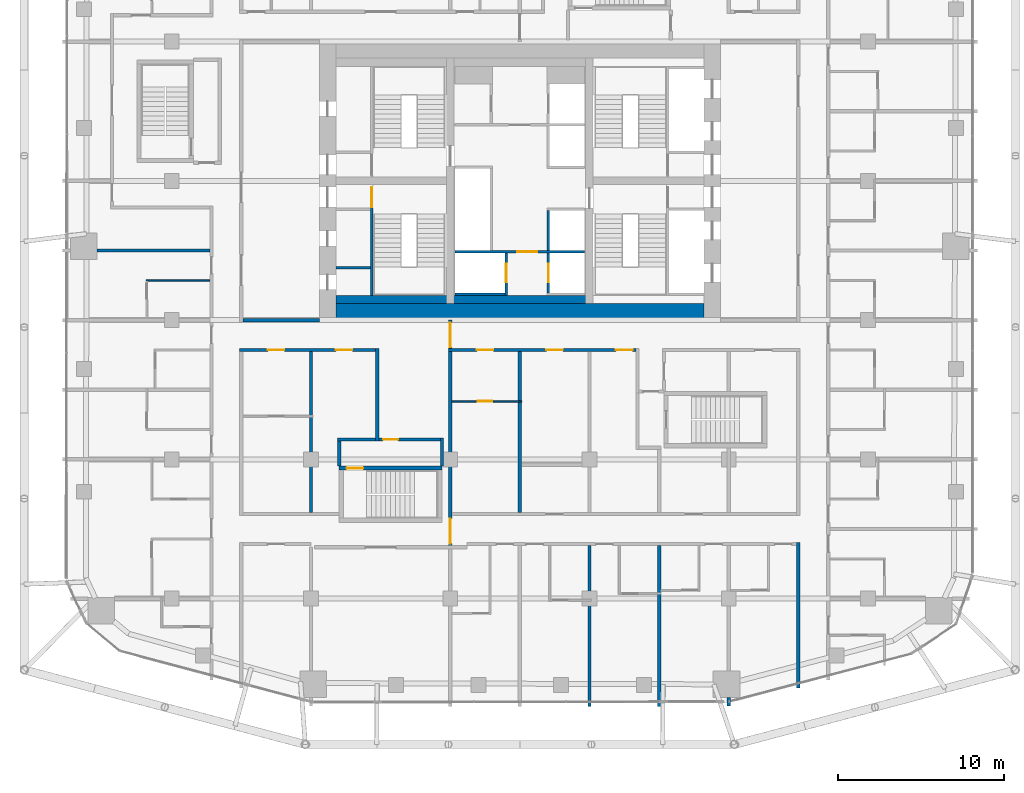
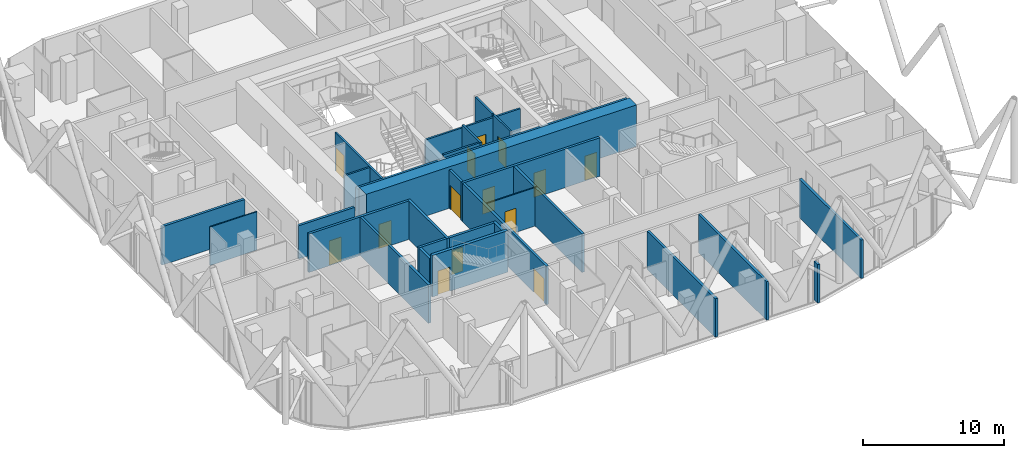
# One storey, part 28 of 36: 28 walls, 14 doors, 14 openings.
"""IFC4 building model written with IfcOpenShell, lengths in metres."""

from ifc_helpers import new_model, si_unit, direction, frame, frame_2d, origin, place, context, subcontext, project, spatial, rectangle, extrude, material, layer, layer_set, type_object, element, fill, save


model = new_model("IFC4")

# Units and contexts
model_context = context("Model", 3, precision=1e-05, world=origin(), true_north=direction((0.0, 1.0)))
body_context = subcontext(model_context, "Body", "Model", "MODEL_VIEW")
ifc_project = project(units=[si_unit("LENGTHUNIT", "METRE"), si_unit("AREAUNIT", "SQUARE_METRE"), si_unit("VOLUMEUNIT", "CUBIC_METRE"), si_unit("PLANEANGLEUNIT", "RADIAN"), si_unit("MASSUNIT", "GRAM", prefix="KILO")], contexts=[model_context])

# Site, building, storey
site_placement = place(None, origin())
site = spatial("IfcSite", under=ifc_project, at=site_placement, CompositionType="ELEMENT")
building_placement = place(site_placement, origin())
building = spatial("IfcBuilding", under=site, at=building_placement, Name="Marenta Gate Hotel Tower", CompositionType="ELEMENT")
storey_placement = place(building_placement, frame((0.0, 0.0, 144.5)))
storey = spatial("IfcBuildingStorey", under=building, at=storey_placement, Name="L33", CompositionType="ELEMENT", Elevation=144.5)

# Wall, openings, doors
ifc_material_1 = material(Name="Concrete blockwork", Category="masonry")
ifc_layer_1 = layer(ifc_material_1, 0.199951171875)
ifc_layer_set_1 = layer_set([ifc_layer_1], Name="Concrete blockwork")
wall_type_1 = type_object("IfcWallType", Name="Compartment wall 200 REI 180", PredefinedType="PARTITIONING", material=ifc_layer_set_1)
wall_1_placement = place(storey_placement, frame((-4.199951171875, -13.800048828125, 0.0), z_axis=(0.0, 0.0, 1.0), x_axis=(0.0, 1.0, 0.0)))
wall_1 = element("IfcWall", 1, at=wall_1_placement, inside=storey, type_object=wall_type_1, Name="L33-PTN-W084", PredefinedType="PARTITIONING", context=body_context, shape_type="SweptSolid", body=[
    extrude(rectangle(XDim=13.800048828125, YDim=0.199951171875, at=frame_2d((6.89990234375, 0.0))), origin(), (0.0, 0.0, 1.0), 3.340087890625),
])
opening_1_placement = place(wall_1_placement, frame((12.14990234375, 0.0, 0.0)))
opening_1 = element("IfcOpeningElement", 2, at=opening_1_placement, cuts=wall_1, Name="Opening G12-FD2", PredefinedType="OPENING", context=body_context, shape_type="SweptSolid", body=[
    extrude(rectangle(XDim=1.5, YDim=2.10009765625, at=frame_2d((0.75, 1.050048828125))), frame((0.0, 0.10009765625, 0.0), z_axis=(0.0, -1.0, 0.0), x_axis=(1.0, 0.0, 0.0)), (0.0, 0.0, 1.0), 0.199951171875),
])
opening_2_placement = place(wall_1_placement, frame((0.324951171875, 0.0, 0.0)))
opening_2 = element("IfcOpeningElement", 3, at=opening_2_placement, cuts=wall_1, Name="Opening G12-FD3", PredefinedType="OPENING", context=body_context, shape_type="SweptSolid", body=[
    extrude(rectangle(XDim=1.5, YDim=2.10009765625, at=frame_2d((0.75, 1.050048828125))), frame((0.0, 0.10009765625, 0.0), z_axis=(0.0, -1.0, 0.0), x_axis=(1.0, 0.0, 0.0)), (0.0, 0.0, 1.0), 0.199951171875),
])
ifc_material_2 = material(Name="Hollow steel door set", Category="steel")
door_type_1 = type_object("IfcDoorType", Name="Compartment fire door 1500x2100 EI 60", OperationType="DOUBLE_DOOR_DOUBLE_SWING", PredefinedType="DOOR", material=ifc_material_2)
door_1_placement = place(opening_1_placement, origin())
door_1 = element("IfcDoor", 4, at=door_1_placement, inside=storey, type_object=door_type_1, Name="L33-PD-FD02", OperationType="DOUBLE_DOOR_DOUBLE_SWING", OverallHeight=2.10009765625, OverallWidth=1.5, PredefinedType="DOOR", context=body_context, shape_type="SweptSolid", body=[
    extrude(rectangle(XDim=1.5, YDim=2.10009765625, at=frame_2d((0.75, 1.050048828125))), frame((0.0, 0.02490234375, 0.0), z_axis=(0.0, -1.0, 0.0), x_axis=(1.0, 0.0, 0.0)), (0.0, 0.0, 1.0), 0.050048828125),
])
fill(opening_1, door_1)
door_2_placement = place(opening_2_placement, origin())
door_2 = element("IfcDoor", 5, at=door_2_placement, inside=storey, type_object=door_type_1, Name="L33-PD-FD03", OperationType="DOUBLE_DOOR_DOUBLE_SWING", OverallHeight=2.10009765625, OverallWidth=1.5, PredefinedType="DOOR", context=body_context, shape_type="SweptSolid", body=[
    extrude(rectangle(XDim=1.5, YDim=2.10009765625, at=frame_2d((0.75, 1.050048828125))), frame((0.0, 0.02490234375, 0.0), z_axis=(0.0, -1.0, 0.0), x_axis=(1.0, 0.0, 0.0)), (0.0, 0.0, 1.0), 0.050048828125),
])
fill(opening_2, door_2)

# Walls
ifc_material_3 = material(Name="Concrete blockwork", Category="masonry")
ifc_layer_2 = layer(ifc_material_3, 0.199951171875)
ifc_layer_set_2 = layer_set([ifc_layer_2], Name="Concrete blockwork")
wall_type_2 = type_object("IfcWallType", Name="Core boundary wall 200 REI 180", PredefinedType="PARTITIONING", material=ifc_layer_set_2)
wall_2_placement = place(storey_placement, frame((-16.699951171875, 0.0, 0.0), z_axis=(0.0, 0.0, 1.0), x_axis=(1.0, 0.0, 0.0)))
element("IfcWall", 6, at=wall_2_placement, inside=storey, type_object=wall_type_2, Name="L33-CP-EW-WS", PredefinedType="PARTITIONING", context=body_context, shape_type="SweptSolid", body=[
    extrude(rectangle(XDim=4.599853515625, YDim=0.199951171875, at=frame_2d((2.2998046875, 0.0))), origin(), (0.0, 0.0, 1.0), 2.889892578125),
])
ifc_material_4 = material(Name="Concrete C40", Category="concrete")
ifc_layer_3 = layer(ifc_material_4, 0.5)
ifc_layer_set_3 = layer_set([ifc_layer_3], Name="Concrete C40")
wall_type_3 = type_object("IfcWallType", Name="Core lining wall 500 REI 180", PredefinedType="PARTITIONING", material=ifc_layer_set_3)
wall_3_placement = place(storey_placement, frame((-11.10009765625, 1.25, 0.0), z_axis=(0.0, 0.0, 1.0), x_axis=(1.0, 0.0, 0.0)))
element("IfcWall", 7, at=wall_3_placement, inside=storey, type_object=wall_type_3, Name="L33-CP-LN-S", PredefinedType="PARTITIONING", context=body_context, shape_type="SweptSolid", body=[
    extrude(rectangle(XDim=22.2001953125, YDim=0.5, at=frame_2d((11.10009765625, 0.0))), origin(), (0.0, 0.0, 1.0), 3.340087890625),
])

# Wall, opening, door
ifc_material_5 = material(Name="Concrete blockwork", Category="masonry")
ifc_layer_4 = layer(ifc_material_5, 0.14990234375)
ifc_layer_set_4 = layer_set([ifc_layer_4], Name="Concrete blockwork")
wall_type_4 = type_object("IfcWallType", Name="Core lobby partition 150 REI 180", PredefinedType="PARTITIONING", material=ifc_layer_set_4)
wall_4_placement = place(storey_placement, frame((-3.89990234375, 4.125, 0.0), z_axis=(0.0, 0.0, 1.0), x_axis=(1.0, 0.0, 0.0)))
wall_4 = element("IfcWall", 8, at=wall_4_placement, inside=storey, type_object=wall_type_4, Name="L33-CP-CW-S", PredefinedType="PARTITIONING", context=body_context, shape_type="SweptSolid", body=[
    extrude(rectangle(XDim=7.7998046875, YDim=0.14990234375, at=frame_2d((3.89990234375, 0.0))), origin(), (0.0, 0.0, 1.0), 3.340087890625),
])
opening_3_placement = place(wall_4_placement, frame((3.75, 0.0, 0.0)))
opening_3 = element("IfcOpeningElement", 9, at=opening_3_placement, cuts=wall_4, Name="Opening FD-FFS", PredefinedType="OPENING", context=body_context, shape_type="SweptSolid", body=[
    extrude(rectangle(XDim=1.199951171875, YDim=2.10009765625, at=frame_2d((0.60009765625, 1.050048828125))), frame((0.0, 0.074951171875, 0.0), z_axis=(0.0, -1.0, 0.0), x_axis=(1.0, 0.0, 0.0)), (0.0, 0.0, 1.0), 0.14990234375),
])
ifc_material_6 = material(Name="Steel", Category="steel")
door_type_2 = type_object("IfcDoorType", Name="Core lobby door 1200x2100 FD60", OperationType="SINGLE_SWING_LEFT", PredefinedType="DOOR", material=ifc_material_6)
door_3_placement = place(opening_3_placement, origin())
door_3 = element("IfcDoor", 10, at=door_3_placement, inside=storey, type_object=door_type_2, Name="FD-FFS", OperationType="SINGLE_SWING_LEFT", OverallHeight=2.10009765625, OverallWidth=1.199951171875, PredefinedType="DOOR", context=body_context, shape_type="SweptSolid", body=[
    extrude(rectangle(XDim=1.199951171875, YDim=2.10009765625, at=frame_2d((0.60009765625, 1.050048828125))), frame((0.0, 0.02490234375, 0.0), z_axis=(0.0, -1.0, 0.0), x_axis=(1.0, 0.0, 0.0)), (0.0, 0.0, 1.0), 0.050048828125),
])
fill(opening_3, door_3)

# Wall
ifc_material_7 = material(Name="Concrete blockwork", Category="masonry")
ifc_layer_5 = layer(ifc_material_7, 0.14990234375)
ifc_layer_set_5 = layer_set([ifc_layer_5], Name="Concrete blockwork")
wall_type_5 = type_object("IfcWallType", Name="Core room partition 150 REI 180", PredefinedType="PARTITIONING", material=ifc_layer_set_5)
wall_5_placement = place(storey_placement, frame((-11.10009765625, 3.14990234375, 0.0), z_axis=(0.0, 0.0, 1.0), x_axis=(1.0, 0.0, 0.0)))
element("IfcWall", 11, at=wall_5_placement, inside=storey, type_object=wall_type_5, Name="L33-CP-RW-WS-1", PredefinedType="PARTITIONING", context=body_context, shape_type="SweptSolid", body=[
    extrude(rectangle(XDim=2.10009765625, YDim=0.14990234375, at=frame_2d((1.050048828125, 0.0))), origin(), (0.0, 0.0, 1.0), 3.340087890625),
])

# Wall, opening, door
ifc_material_8 = material(Name="Concrete C40", Category="concrete")
ifc_layer_6 = layer(ifc_material_8, 0.14990234375)
ifc_layer_set_6 = layer_set([ifc_layer_6], Name="Concrete C40")
wall_type_6 = type_object("IfcWallType", Name="Core shaft wall 150 REI 180", PredefinedType="SHEAR", material=ifc_layer_set_6)
wall_6_placement = place(storey_placement, frame((-0.824951171875, 1.5, 0.0), z_axis=(0.0, 0.0, 1.0), x_axis=(0.0, 1.0, 0.0)))
wall_6 = element("IfcWall", 12, at=wall_6_placement, inside=storey, type_object=wall_type_6, Name="L33-SHF-CW-W-ff", PredefinedType="SHEAR", context=body_context, shape_type="SweptSolid", body=[
    extrude(rectangle(XDim=2.550048828125, YDim=0.14990234375, at=frame_2d((1.27490234375, 0.0))), origin(), (0.0, 0.0, 1.0), 3.60009765625),
])
opening_4_placement = place(wall_6_placement, frame((0.800048828125, 0.0, 0.0)))
opening_4 = element("IfcOpeningElement", 13, at=opening_4_placement, cuts=wall_6, Name="Opening LD-FF1", PredefinedType="OPENING", context=body_context, shape_type="SweptSolid", body=[
    extrude(rectangle(XDim=1.10009765625, YDim=2.10009765625, at=frame_2d((0.550048828125, 1.050048828125))), frame((0.0, 0.074951171875, 0.0), z_axis=(0.0, -1.0, 0.0), x_axis=(1.0, 0.0, 0.0)), (0.0, 0.0, 1.0), 0.14990234375),
])
ifc_material_9 = material(Name="Steel", Category="steel")
door_type_3 = type_object("IfcDoorType", Name="Core lift landing door 1100x2100 E 60", OperationType="SLIDING_TO_LEFT", PredefinedType="DOOR", material=ifc_material_9)
door_4_placement = place(opening_4_placement, origin())
door_4 = element("IfcDoor", 14, at=door_4_placement, inside=storey, type_object=door_type_3, Name="LD-FF1", OperationType="SLIDING_TO_LEFT", OverallHeight=2.10009765625, OverallWidth=1.10009765625, PredefinedType="DOOR", context=body_context, shape_type="SweptSolid", body=[
    extrude(rectangle(XDim=1.10009765625, YDim=2.10009765625, at=frame_2d((0.550048828125, 1.050048828125))), frame((0.0, 0.02490234375, 0.0), z_axis=(0.0, -1.0, 0.0), x_axis=(1.0, 0.0, 0.0)), (0.0, 0.0, 1.0), 0.050048828125),
])
fill(opening_4, door_4)

# Wall
wall_7_placement = place(storey_placement, frame((-3.89990234375, 1.574951171875, 0.0), z_axis=(0.0, 0.0, 1.0), x_axis=(1.0, 0.0, 0.0)))
element("IfcWall", 15, at=wall_7_placement, inside=storey, type_object=wall_type_6, Name="L33-SHF-CW-W-ffs", PredefinedType="SHEAR", context=body_context, shape_type="SweptSolid", body=[
    extrude(rectangle(XDim=3.0, YDim=0.14990234375, at=frame_2d((1.5, 0.0))), origin(), (0.0, 0.0, 1.0), 3.60009765625),
])

# Wall, opening, door
wall_8_placement = place(storey_placement, frame((1.72509765625, 1.64990234375, 0.0), z_axis=(0.0, 0.0, 1.0), x_axis=(0.0, 1.0, 0.0)))
wall_8 = element("IfcWall", 16, at=wall_8_placement, inside=storey, type_object=wall_type_6, Name="L33-SHF-CE-S-ls", PredefinedType="SHEAR", context=body_context, shape_type="SweptSolid", body=[
    extrude(rectangle(XDim=2.400146484375, YDim=0.14990234375, at=frame_2d((1.2001953125, 0.0))), origin(), (0.0, 0.0, 1.0), 3.60009765625),
])
opening_5_placement = place(wall_8_placement, frame((0.64990234375, 0.0, 0.0)))
opening_5 = element("IfcOpeningElement", 17, at=opening_5_placement, cuts=wall_8, Name="Opening LD-SV1", PredefinedType="OPENING", context=body_context, shape_type="SweptSolid", body=[
    extrude(rectangle(XDim=1.10009765625, YDim=2.10009765625, at=frame_2d((0.550048828125, 1.050048828125))), frame((0.0, 0.074951171875, 0.0), z_axis=(0.0, -1.0, 0.0), x_axis=(1.0, 0.0, 0.0)), (0.0, 0.0, 1.0), 0.14990234375),
])
door_5_placement = place(opening_5_placement, origin())
door_5 = element("IfcDoor", 18, at=door_5_placement, inside=storey, type_object=door_type_3, Name="LD-SV1", OperationType="SLIDING_TO_LEFT", OverallHeight=2.10009765625, OverallWidth=1.10009765625, PredefinedType="DOOR", context=body_context, shape_type="SweptSolid", body=[
    extrude(rectangle(XDim=1.10009765625, YDim=2.10009765625, at=frame_2d((0.550048828125, 1.050048828125))), frame((0.0, 0.02490234375, 0.0), z_axis=(0.0, -1.0, 0.0), x_axis=(1.0, 0.0, 0.0)), (0.0, 0.0, 1.0), 0.050048828125),
])
fill(opening_5, door_5)

# Wall
wall_9_placement = place(storey_placement, frame((1.72509765625, 4.199951171875, 0.0), z_axis=(0.0, 0.0, 1.0), x_axis=(0.0, 1.0, 0.0)))
element("IfcWall", 19, at=wall_9_placement, inside=storey, type_object=wall_type_6, Name="L33-SHF-CE-front-1", PredefinedType="SHEAR", context=body_context, shape_type="SweptSolid", body=[
    extrude(rectangle(XDim=2.400146484375, YDim=0.14990234375, at=frame_2d((1.2001953125, 0.0))), origin(), (0.0, 0.0, 1.0), 3.60009765625),
])

# Wall, opening, door
ifc_material_10 = material(Name="Concrete C40", Category="concrete")
ifc_layer_7 = layer(ifc_material_10, 0.14990234375)
ifc_layer_set_7 = layer_set([ifc_layer_7], Name="Concrete C40")
wall_type_7 = type_object("IfcWallType", Name="Core stair enclosure wall 150 REI 180", PredefinedType="SHEAR", material=ifc_layer_set_7)
wall_10_placement = place(storey_placement, frame((-8.925048828125, 1.5, 0.0), z_axis=(0.0, 0.0, 1.0), x_axis=(0.0, 1.0, 0.0)))
wall_10 = element("IfcWall", 20, at=wall_10_placement, inside=storey, type_object=wall_type_7, Name="L33-SHF-SW-WS-3", PredefinedType="SHEAR", context=body_context, shape_type="SweptSolid", body=[
    extrude(rectangle(XDim=6.60009765625, YDim=0.14990234375, at=frame_2d((3.300048828125, 0.0))), origin(), (0.0, 0.0, 1.0), 3.340087890625),
])
opening_6_placement = place(wall_10_placement, frame((5.324951171875, 0.0, 0.0)))
opening_6 = element("IfcOpeningElement", 21, at=opening_6_placement, cuts=wall_10, Name="Opening SD-WS", PredefinedType="OPENING", context=body_context, shape_type="SweptSolid", body=[
    extrude(rectangle(XDim=1.199951171875, YDim=2.10009765625, at=frame_2d((0.60009765625, 1.050048828125))), frame((0.0, 0.074951171875, 0.0), z_axis=(0.0, -1.0, 0.0), x_axis=(1.0, 0.0, 0.0)), (0.0, 0.0, 1.0), 0.14990234375),
])
ifc_material_11 = material(Name="Steel", Category="steel")
door_type_4 = type_object("IfcDoorType", Name="Core stair door 1200x2100 FD60", OperationType="SINGLE_SWING_LEFT", PredefinedType="DOOR", material=ifc_material_11)
door_6_placement = place(opening_6_placement, origin())
door_6 = element("IfcDoor", 22, at=door_6_placement, inside=storey, type_object=door_type_4, Name="SD-WS", OperationType="SINGLE_SWING_LEFT", OverallHeight=2.10009765625, OverallWidth=1.199951171875, PredefinedType="DOOR", context=body_context, shape_type="SweptSolid", body=[
    extrude(rectangle(XDim=1.199951171875, YDim=2.10009765625, at=frame_2d((0.60009765625, 1.050048828125))), frame((0.0, 0.02490234375, 0.0), z_axis=(0.0, -1.0, 0.0), x_axis=(1.0, 0.0, 0.0)), (0.0, 0.0, 1.0), 0.050048828125),
])
fill(opening_6, door_6)

# Wall
ifc_material_12 = material(Name="Concrete C70", Category="concrete")
ifc_layer_8 = layer(ifc_material_12, 1.0)
ifc_layer_set_8 = layer_set([ifc_layer_8], Name="Concrete C70")
wall_type_8 = type_object("IfcWallType", Name="Core wall 1000 C70", PredefinedType="SHEAR", material=ifc_layer_set_8)
wall_11_placement = place(storey_placement, frame((-11.10009765625, 0.5, 0.0), z_axis=(0.0, 0.0, 1.0), x_axis=(1.0, 0.0, 0.0)))
element("IfcWall", 23, at=wall_11_placement, inside=storey, type_object=wall_type_8, Name="L33-CORE-S", PredefinedType="SHEAR", context=body_context, shape_type="SweptSolid", body=[
    extrude(rectangle(XDim=22.2001953125, YDim=1.0, at=frame_2d((11.10009765625, 0.0))), origin(), (0.0, 0.0, 1.0), 3.60009765625),
])

# Wall, opening, door
ifc_material_13 = material(Name="Concrete C40", Category="concrete")
ifc_layer_9 = layer(ifc_material_13, 0.25)
ifc_layer_set_9 = layer_set([ifc_layer_9], Name="Concrete C40")
wall_type_9 = type_object("IfcWallType", Name="Remote stair enclosure wall 250 REI 180", PredefinedType="SHEAR", material=ifc_layer_set_9)
wall_12_placement = place(storey_placement, frame((-10.89990234375, -8.925048828125, 0.10009765625), z_axis=(0.0, 0.0, 1.0), x_axis=(1.0, 0.0, 0.0)))
wall_12 = element("IfcWall", 24, at=wall_12_placement, inside=storey, type_object=wall_type_9, Name="L33-RS-Z2-1-W2", PredefinedType="SHEAR", context=body_context, shape_type="SweptSolid", body=[
    extrude(rectangle(XDim=6.199951171875, YDim=0.25, at=frame_2d((3.10009765625, 0.0))), origin(), (0.0, 0.0, 1.0), 3.599853515625),
])
opening_7_placement = place(wall_12_placement, frame((0.449951171875, 0.0, 0.0)))
opening_7 = element("IfcOpeningElement", 25, at=opening_7_placement, cuts=wall_12, Name="Opening VD", PredefinedType="OPENING", context=body_context, shape_type="SweptSolid", body=[
    extrude(rectangle(XDim=1.0, YDim=2.10009765625, at=frame_2d((0.5, 1.050048828125))), frame((0.0, 0.125, 0.0), z_axis=(0.0, -1.0, 0.0), x_axis=(1.0, 0.0, 0.0)), (0.0, 0.0, 1.0), 0.25),
])
ifc_material_14 = material(Name="Steel", Category="steel")
door_type_5 = type_object("IfcDoorType", Name="Stair vestibule door 1000x2100 FD60", OperationType="SINGLE_SWING_LEFT", PredefinedType="DOOR", material=ifc_material_14)
door_7_placement = place(opening_7_placement, origin())
door_7 = element("IfcDoor", 26, at=door_7_placement, inside=storey, type_object=door_type_5, Name="VD", OperationType="SINGLE_SWING_LEFT", OverallHeight=2.10009765625, OverallWidth=1.0, PredefinedType="DOOR", context=body_context, shape_type="SweptSolid", body=[
    extrude(rectangle(XDim=1.0, YDim=2.10009765625, at=frame_2d((0.5, 1.050048828125))), frame((0.0, 0.02490234375, 0.0), z_axis=(0.0, -1.0, 0.0), x_axis=(1.0, 0.0, 0.0)), (0.0, 0.0, 1.0), 0.050048828125),
])
fill(opening_7, door_7)

# Wall, openings, doors
ifc_material_15 = material(Name="Concrete blockwork", Category="masonry")
ifc_layer_10 = layer(ifc_material_15, 0.199951171875)
ifc_layer_set_10 = layer_set([ifc_layer_10], Name="Concrete blockwork")
wall_type_10 = type_object("IfcWallType", Name="Room corridor wall 200 EI 120", PredefinedType="PARTITIONING", material=ifc_layer_set_10)
wall_13_placement = place(storey_placement, frame((-4.300048828125, -1.800048828125, 0.0), z_axis=(0.0, 0.0, 1.0), x_axis=(1.0, 0.0, 0.0)))
wall_13 = element("IfcWall", 27, at=wall_13_placement, inside=storey, type_object=wall_type_10, Name="L33-PTN-W070", PredefinedType="PARTITIONING", context=body_context, shape_type="SweptSolid", body=[
    extrude(rectangle(XDim=11.300048828125, YDim=0.199951171875, at=frame_2d((5.64990234375, 0.0))), origin(), (0.0, 0.0, 1.0), 3.340087890625),
])
opening_8_placement = place(wall_13_placement, frame((1.699951171875, 0.0, 0.0)))
opening_8 = element("IfcOpeningElement", 28, at=opening_8_placement, cuts=wall_13, Name="Opening G12-04", PredefinedType="OPENING", context=body_context, shape_type="SweptSolid", body=[
    extrude(rectangle(XDim=1.0, YDim=2.10009765625, at=frame_2d((0.5, 1.050048828125))), frame((0.0, 0.10009765625, 0.0), z_axis=(0.0, -1.0, 0.0), x_axis=(1.0, 0.0, 0.0)), (0.0, 0.0, 1.0), 0.199951171875),
])
opening_9_placement = place(wall_13_placement, frame((10.10009765625, 0.0, 0.0)))
opening_9 = element("IfcOpeningElement", 29, at=opening_9_placement, cuts=wall_13, Name="Opening G12-06", PredefinedType="OPENING", context=body_context, shape_type="SweptSolid", body=[
    extrude(rectangle(XDim=1.0, YDim=2.10009765625, at=frame_2d((0.5, 1.050048828125))), frame((0.0, 0.10009765625, 0.0), z_axis=(0.0, -1.0, 0.0), x_axis=(1.0, 0.0, 0.0)), (0.0, 0.0, 1.0), 0.199951171875),
])
opening_10_placement = place(wall_13_placement, frame((5.89990234375, 0.0, 0.0)))
opening_10 = element("IfcOpeningElement", 30, at=opening_10_placement, cuts=wall_13, Name="Opening G12-73", PredefinedType="OPENING", context=body_context, shape_type="SweptSolid", body=[
    extrude(rectangle(XDim=1.0, YDim=2.10009765625, at=frame_2d((0.5, 1.050048828125))), frame((0.0, 0.10009765625, 0.0), z_axis=(0.0, -1.0, 0.0), x_axis=(1.0, 0.0, 0.0)), (0.0, 0.0, 1.0), 0.199951171875),
])
ifc_material_16 = material(Name="Timber door leaf", Category="wood")
door_type_6 = type_object("IfcDoorType", Name="Room amenity door 1000x2100 EI 60", OperationType="NOTDEFINED", PredefinedType="DOOR", material=ifc_material_16)
door_8_placement = place(opening_9_placement, origin())
door_8 = element("IfcDoor", 31, at=door_8_placement, inside=storey, type_object=door_type_6, Name="L33-PD-D006", OperationType="SINGLE_SWING_LEFT", OverallHeight=2.10009765625, OverallWidth=1.0, PredefinedType="DOOR", context=body_context, shape_type="SweptSolid", body=[
    extrude(rectangle(XDim=1.0, YDim=2.10009765625, at=frame_2d((0.5, 1.050048828125))), frame((0.0, 0.02490234375, 0.0), z_axis=(0.0, -1.0, 0.0), x_axis=(1.0, 0.0, 0.0)), (0.0, 0.0, 1.0), 0.050048828125),
])
fill(opening_9, door_8)
door_9_placement = place(opening_10_placement, origin())
door_9 = element("IfcDoor", 32, at=door_9_placement, inside=storey, type_object=door_type_6, Name="L33-PD-D073", OperationType="SINGLE_SWING_LEFT", OverallHeight=2.10009765625, OverallWidth=1.0, PredefinedType="DOOR", context=body_context, shape_type="SweptSolid", body=[
    extrude(rectangle(XDim=1.0, YDim=2.10009765625, at=frame_2d((0.5, 1.050048828125))), frame((0.0, 0.02490234375, 0.0), z_axis=(0.0, -1.0, 0.0), x_axis=(1.0, 0.0, 0.0)), (0.0, 0.0, 1.0), 0.050048828125),
])
fill(opening_10, door_9)
ifc_material_17 = material(Name="Hollow steel door set", Category="steel")
door_type_7 = type_object("IfcDoorType", Name="Room service door 1000x2100 EI 60", OperationType="NOTDEFINED", PredefinedType="DOOR", material=ifc_material_17)
door_10_placement = place(opening_8_placement, origin())
door_10 = element("IfcDoor", 33, at=door_10_placement, inside=storey, type_object=door_type_7, Name="L33-PD-D004", OperationType="SINGLE_SWING_RIGHT", OverallHeight=2.10009765625, OverallWidth=1.0, PredefinedType="DOOR", context=body_context, shape_type="SweptSolid", body=[
    extrude(rectangle(XDim=1.0, YDim=2.10009765625, at=frame_2d((0.5, 1.050048828125))), frame((0.0, 0.02490234375, 0.0), z_axis=(0.0, -1.0, 0.0), x_axis=(1.0, 0.0, 0.0)), (0.0, 0.0, 1.0), 0.050048828125),
])
fill(opening_8, door_10)

# Wall
ifc_material_18 = material(Name="Gypsum board on steel stud", Category="steel")
ifc_layer_11 = layer(ifc_material_18, 0.199951171875)
ifc_layer_set_11 = layer_set([ifc_layer_11], Name="Gypsum board on steel stud")
wall_type_11 = type_object("IfcWallType", Name="Room corridor wall 200 EI 60", PredefinedType="PARTITIONING", material=ifc_layer_set_11)
wall_14_placement = place(storey_placement, frame((16.800048828125, -22.18603515625, 0.0), z_axis=(0.0, 0.0, 1.0), x_axis=(0.0, 1.0, 0.0)))
element("IfcWall", 34, at=wall_14_placement, inside=storey, type_object=wall_type_11, Name="L33-PTN-W017", PredefinedType="PARTITIONING", context=body_context, shape_type="SweptSolid", body=[
    extrude(rectangle(XDim=8.7861328125, YDim=0.199951171875, at=frame_2d((4.39306640625, 0.0))), origin(), (0.0, 0.0, 1.0), 3.340087890625),
])

# Wall, openings, doors
wall_15_placement = place(storey_placement, frame((-16.89990234375, -1.800048828125, 0.0), z_axis=(0.0, 0.0, 1.0), x_axis=(1.0, 0.0, 0.0)))
wall_15 = element("IfcWall", 35, at=wall_15_placement, inside=storey, type_object=wall_type_11, Name="L33-PTN-W069", PredefinedType="PARTITIONING", context=body_context, shape_type="SweptSolid", body=[
    extrude(rectangle(XDim=8.199951171875, YDim=0.199951171875, at=frame_2d((4.10009765625, 0.0))), origin(), (0.0, 0.0, 1.0), 3.340087890625),
])
opening_11_placement = place(wall_15_placement, frame((1.699951171875, 0.0, 0.0)))
opening_11 = element("IfcOpeningElement", 36, at=opening_11_placement, cuts=wall_15, Name="Opening G12-01", PredefinedType="OPENING", context=body_context, shape_type="SweptSolid", body=[
    extrude(rectangle(XDim=1.0, YDim=2.10009765625, at=frame_2d((0.5, 1.050048828125))), frame((0.0, 0.10009765625, 0.0), z_axis=(0.0, -1.0, 0.0), x_axis=(1.0, 0.0, 0.0)), (0.0, 0.0, 1.0), 0.199951171875),
])
opening_12_placement = place(wall_15_placement, frame((5.800048828125, 0.0, 0.0)))
opening_12 = element("IfcOpeningElement", 37, at=opening_12_placement, cuts=wall_15, Name="Opening G12-03", PredefinedType="OPENING", context=body_context, shape_type="SweptSolid", body=[
    extrude(rectangle(XDim=1.0, YDim=2.10009765625, at=frame_2d((0.5, 1.050048828125))), frame((0.0, 0.10009765625, 0.0), z_axis=(0.0, -1.0, 0.0), x_axis=(1.0, 0.0, 0.0)), (0.0, 0.0, 1.0), 0.199951171875),
])
ifc_material_19 = material(Name="Timber door leaf", Category="wood")
door_type_8 = type_object("IfcDoorType", Name="Room amenity door 1000x2100 EI 30", OperationType="NOTDEFINED", PredefinedType="DOOR", material=ifc_material_19)
door_11_placement = place(opening_12_placement, origin())
door_11 = element("IfcDoor", 38, at=door_11_placement, inside=storey, type_object=door_type_8, Name="L33-PD-D003", OperationType="SINGLE_SWING_LEFT", OverallHeight=2.10009765625, OverallWidth=1.0, PredefinedType="DOOR", context=body_context, shape_type="SweptSolid", body=[
    extrude(rectangle(XDim=1.0, YDim=2.10009765625, at=frame_2d((0.5, 1.050048828125))), frame((0.0, 0.02490234375, 0.0), z_axis=(0.0, -1.0, 0.0), x_axis=(1.0, 0.0, 0.0)), (0.0, 0.0, 1.0), 0.050048828125),
])
fill(opening_12, door_11)
ifc_material_20 = material(Name="Hollow steel door set", Category="steel")
door_type_9 = type_object("IfcDoorType", Name="Room service door 1000x2100 EI 30", OperationType="NOTDEFINED", PredefinedType="DOOR", material=ifc_material_20)
door_12_placement = place(opening_11_placement, origin())
door_12 = element("IfcDoor", 39, at=door_12_placement, inside=storey, type_object=door_type_9, Name="L33-PD-D001", OperationType="SINGLE_SWING_LEFT", OverallHeight=2.10009765625, OverallWidth=1.0, PredefinedType="DOOR", context=body_context, shape_type="SweptSolid", body=[
    extrude(rectangle(XDim=1.0, YDim=2.10009765625, at=frame_2d((0.5, 1.050048828125))), frame((0.0, 0.02490234375, 0.0), z_axis=(0.0, -1.0, 0.0), x_axis=(1.0, 0.0, 0.0)), (0.0, 0.0, 1.0), 0.050048828125),
])
fill(opening_11, door_12)

# Wall
wall_16_placement = place(storey_placement, frame((-8.60009765625, -7.300048828125, 0.0), z_axis=(0.0, 0.0, 1.0), x_axis=(0.0, 1.0, 0.0)))
element("IfcWall", 40, at=wall_16_placement, inside=storey, type_object=wall_type_11, Name="L33-PTN-W092", PredefinedType="PARTITIONING", context=body_context, shape_type="SweptSolid", body=[
    extrude(rectangle(XDim=5.60009765625, YDim=0.199951171875, at=frame_2d((2.800048828125, 0.0))), origin(), (0.0, 0.0, 1.0), 3.340087890625),
])

# Wall, opening, door
ifc_material_21 = material(Name="Concrete blockwork", Category="masonry")
ifc_layer_12 = layer(ifc_material_21, 0.199951171875)
ifc_layer_set_12 = layer_set([ifc_layer_12], Name="Concrete blockwork")
wall_type_12 = type_object("IfcWallType", Name="Room corridor wall 200 REI 180", PredefinedType="PARTITIONING", material=ifc_layer_set_12)
wall_17_placement = place(storey_placement, frame((-8.5, -7.199951171875, 0.0), z_axis=(0.0, 0.0, 1.0), x_axis=(1.0, 0.0, 0.0)))
wall_17 = element("IfcWall", 41, at=wall_17_placement, inside=storey, type_object=wall_type_12, Name="L33-PTN-W051", PredefinedType="PARTITIONING", context=body_context, shape_type="SweptSolid", body=[
    extrude(rectangle(XDim=3.699951171875, YDim=0.199951171875, at=frame_2d((1.85009765625, 0.0))), origin(), (0.0, 0.0, 1.0), 3.340087890625),
])
opening_13_placement = place(wall_17_placement, frame((0.25, 0.0, 0.0)))
opening_13 = element("IfcOpeningElement", 42, at=opening_13_placement, cuts=wall_17, Name="Opening G12-66", PredefinedType="OPENING", context=body_context, shape_type="SweptSolid", body=[
    extrude(rectangle(XDim=0.89990234375, YDim=2.10009765625, at=frame_2d((0.449951171875, 1.050048828125))), frame((0.0, 0.10009765625, 0.0), z_axis=(0.0, -1.0, 0.0), x_axis=(1.0, 0.0, 0.0)), (0.0, 0.0, 1.0), 0.199951171875),
])
ifc_material_22 = material(Name="Hollow steel door set", Category="steel")
door_type_10 = type_object("IfcDoorType", Name="Stair vestibule door 900x2100 EI 60", OperationType="NOTDEFINED", PredefinedType="DOOR", material=ifc_material_22)
door_13_placement = place(opening_13_placement, origin())
door_13 = element("IfcDoor", 43, at=door_13_placement, inside=storey, type_object=door_type_10, Name="L33-PD-D066", OperationType="SINGLE_SWING_RIGHT", OverallHeight=2.10009765625, OverallWidth=0.89990234375, PredefinedType="DOOR", context=body_context, shape_type="SweptSolid", body=[
    extrude(rectangle(XDim=0.89990234375, YDim=2.10009765625, at=frame_2d((0.449951171875, 1.050048828125))), frame((0.0, 0.02490234375, 0.0), z_axis=(0.0, -1.0, 0.0), x_axis=(1.0, 0.0, 0.0)), (0.0, 0.0, 1.0), 0.050048828125),
])
fill(opening_13, door_13)

# Wall
wall_18_placement = place(storey_placement, frame((-4.699951171875, -8.800048828125, 0.0), z_axis=(0.0, 0.0, 1.0), x_axis=(0.0, 1.0, 0.0)))
element("IfcWall", 44, at=wall_18_placement, inside=storey, type_object=wall_type_12, Name="L33-PTN-W087", PredefinedType="PARTITIONING", context=body_context, shape_type="SweptSolid", body=[
    extrude(rectangle(XDim=1.699951171875, YDim=0.199951171875, at=frame_2d((0.85009765625, 0.0))), origin(), (0.0, 0.0, 1.0), 3.340087890625),
])

# Wall, opening, door
ifc_material_23 = material(Name="Gypsum board on steel stud", Category="steel")
ifc_layer_13 = layer(ifc_material_23, 0.10009765625)
ifc_layer_set_13 = layer_set([ifc_layer_13], Name="Gypsum board on steel stud")
wall_type_13 = type_object("IfcWallType", Name="Room partition 100", PredefinedType="PARTITIONING", material=ifc_layer_set_13)
wall_19_placement = place(storey_placement, frame((-4.10009765625, -4.89990234375, 0.0), z_axis=(0.0, 0.0, 1.0), x_axis=(1.0, 0.0, 0.0)))
wall_19 = element("IfcWall", 45, at=wall_19_placement, inside=storey, type_object=wall_type_13, Name="L33-PTN-W058", PredefinedType="PARTITIONING", context=body_context, shape_type="SweptSolid", body=[
    extrude(rectangle(XDim=4.2001953125, YDim=0.10009765625, at=frame_2d((2.10009765625, 0.0))), origin(), (0.0, 0.0, 1.0), 3.340087890625),
])
opening_14_placement = place(wall_19_placement, frame((1.550048828125, 0.0, 0.0)))
opening_14 = element("IfcOpeningElement", 46, at=opening_14_placement, cuts=wall_19, Name="Opening G12-05", PredefinedType="OPENING", context=body_context, shape_type="SweptSolid", body=[
    extrude(rectangle(XDim=0.89990234375, YDim=2.10009765625, at=frame_2d((0.449951171875, 1.050048828125))), frame((0.0, 0.050048828125, 0.0), z_axis=(0.0, -1.0, 0.0), x_axis=(1.0, 0.0, 0.0)), (0.0, 0.0, 1.0), 0.10009765625),
])
ifc_material_24 = material(Name="Timber door leaf", Category="wood")
door_type_11 = type_object("IfcDoorType", Name="Room inner door 900x2100", OperationType="NOTDEFINED", PredefinedType="DOOR", material=ifc_material_24)
door_14_placement = place(opening_14_placement, origin())
door_14 = element("IfcDoor", 47, at=door_14_placement, inside=storey, type_object=door_type_11, Name="L33-PD-D005", OperationType="SINGLE_SWING_LEFT", OverallHeight=2.10009765625, OverallWidth=0.89990234375, PredefinedType="DOOR", context=body_context, shape_type="SweptSolid", body=[
    extrude(rectangle(XDim=0.89990234375, YDim=2.10009765625, at=frame_2d((0.449951171875, 1.050048828125))), frame((0.0, 0.02490234375, 0.0), z_axis=(0.0, -1.0, 0.0), x_axis=(1.0, 0.0, 0.0)), (0.0, 0.0, 1.0), 0.050048828125),
])
fill(opening_14, door_14)

# Walls
wall_20_placement = place(storey_placement, frame((-22.550048828125, 2.39990234375, 0.0), z_axis=(0.0, 0.0, 1.0), x_axis=(1.0, 0.0, 0.0)))
element("IfcWall", 48, at=wall_20_placement, inside=storey, type_object=wall_type_13, Name="L33-PTN-W080", PredefinedType="PARTITIONING", context=body_context, shape_type="SweptSolid", body=[
    extrude(rectangle(XDim=3.85009765625, YDim=0.10009765625, at=frame_2d((1.925048828125, 0.0))), origin(), (0.0, 0.0, 1.0), 3.340087890625),
])
ifc_material_25 = material(Name="Concrete blockwork", Category="masonry")
ifc_layer_14 = layer(ifc_material_25, 0.199951171875)
ifc_layer_set_14 = layer_set([ifc_layer_14], Name="Concrete blockwork")
wall_type_14 = type_object("IfcWallType", Name="Room party wall 200 EI 120", PredefinedType="PARTITIONING", material=ifc_layer_set_14)
wall_21_placement = place(storey_placement, frame((0.0, -11.60009765625, 0.0), z_axis=(0.0, 0.0, 1.0), x_axis=(0.0, 1.0, 0.0)))
element("IfcWall", 49, at=wall_21_placement, inside=storey, type_object=wall_type_14, Name="L33-PTN-W074", PredefinedType="PARTITIONING", context=body_context, shape_type="SweptSolid", body=[
    extrude(rectangle(XDim=9.7001953125, YDim=0.199951171875, at=frame_2d((4.85009765625, 0.0))), origin(), (0.0, 0.0, 1.0), 3.340087890625),
])
ifc_material_26 = material(Name="Gypsum board on steel stud", Category="steel")
ifc_layer_15 = layer(ifc_material_26, 0.199951171875)
ifc_layer_set_15 = layer_set([ifc_layer_15], Name="Gypsum board on steel stud")
wall_type_15 = type_object("IfcWallType", Name="Room party wall 200 EI 60", PredefinedType="PARTITIONING", material=ifc_layer_set_15)
wall_22_placement = place(storey_placement, frame((12.60009765625, -23.26611328125, 0.0), z_axis=(0.0, 0.0, 1.0), x_axis=(0.0, 1.0, 0.0)))
element("IfcWall", 50, at=wall_22_placement, inside=storey, type_object=wall_type_15, Name="L33-PTN-W032", PredefinedType="PARTITIONING", context=body_context, shape_type="SweptSolid", body=[
    extrude(rectangle(XDim=0.4912109375, YDim=0.199951171875, at=frame_2d((0.24560546875, 0.0))), origin(), (0.0, 0.0, 1.0), 3.340087890625),
])
for number, where, z_axis, x_axis, name in (
    (51, (8.39990234375, -23.300048828125, 0.0), (0.0, 0.0, 1.0), (0.0, 1.0, 0.0), "L33-PTN-W045"),
    (52, (4.199951171875, -23.300048828125, 0.0), (0.0, 0.0, 1.0), (0.0, 1.0, 0.0), "L33-PTN-W060"),
):
    element("IfcWall", number, at=place(storey_placement, frame(where, z_axis=z_axis, x_axis=x_axis)), inside=storey, type_object=wall_type_15, Name=name, PredefinedType="PARTITIONING", context=body_context, shape_type="SweptSolid", body=[
        extrude(rectangle(XDim=9.699951171875, YDim=0.199951171875, at=frame_2d((4.85009765625, 0.0))), origin(), (0.0, 0.0, 1.0), 3.340087890625),
    ])
wall_23_placement = place(storey_placement, frame((-25.5, 4.199951171875, 0.0), z_axis=(0.0, 0.0, 1.0), x_axis=(1.0, 0.0, 0.0)))
element("IfcWall", 53, at=wall_23_placement, inside=storey, type_object=wall_type_15, Name="L33-PTN-W134", PredefinedType="PARTITIONING", context=body_context, shape_type="SweptSolid", body=[
    extrude(rectangle(XDim=6.800048828125, YDim=0.199951171875, at=frame_2d((3.39990234375, 0.0))), origin(), (0.0, 0.0, 1.0), 3.340087890625),
])
wall_24_placement = place(storey_placement, frame((-12.60009765625, -11.60009765625, 0.0), z_axis=(0.0, 0.0, 1.0), x_axis=(0.0, 1.0, 0.0)))
element("IfcWall", 54, at=wall_24_placement, inside=storey, type_object=wall_type_15, Name="L33-PTN-W097", PredefinedType="PARTITIONING", context=body_context, shape_type="SweptSolid", body=[
    extrude(rectangle(XDim=9.7001953125, YDim=0.199951171875, at=frame_2d((4.85009765625, 0.0))), origin(), (0.0, 0.0, 1.0), 3.340087890625),
])
ifc_material_27 = material(Name="Concrete blockwork", Category="masonry")
ifc_layer_16 = layer(ifc_material_27, 0.199951171875)
ifc_layer_set_16 = layer_set([ifc_layer_16], Name="Concrete blockwork")
wall_type_16 = type_object("IfcWallType", Name="Room party wall 200 REI 180", PredefinedType="PARTITIONING", material=ifc_layer_set_16)
wall_25_placement = place(storey_placement, frame((-11.0, -7.199951171875, 0.0), z_axis=(0.0, 0.0, 1.0), x_axis=(1.0, 0.0, 0.0)))
element("IfcWall", 55, at=wall_25_placement, inside=storey, type_object=wall_type_16, Name="L33-PTN-W050", PredefinedType="PARTITIONING", context=body_context, shape_type="SweptSolid", body=[
    extrude(rectangle(XDim=2.300048828125, YDim=0.199951171875, at=frame_2d((1.14990234375, 0.0))), origin(), (0.0, 0.0, 1.0), 3.340087890625),
])
wall_26_placement = place(storey_placement, frame((-10.89990234375, -8.800048828125, 0.0), z_axis=(0.0, 0.0, 1.0), x_axis=(0.0, 1.0, 0.0)))
element("IfcWall", 56, at=wall_26_placement, inside=storey, type_object=wall_type_16, Name="L33-PTN-W095", PredefinedType="PARTITIONING", context=body_context, shape_type="SweptSolid", body=[
    extrude(rectangle(XDim=1.5, YDim=0.199951171875, at=frame_2d((0.75, 0.0))), origin(), (0.0, 0.0, 1.0), 3.340087890625),
])

save(model, "model.ifc")
